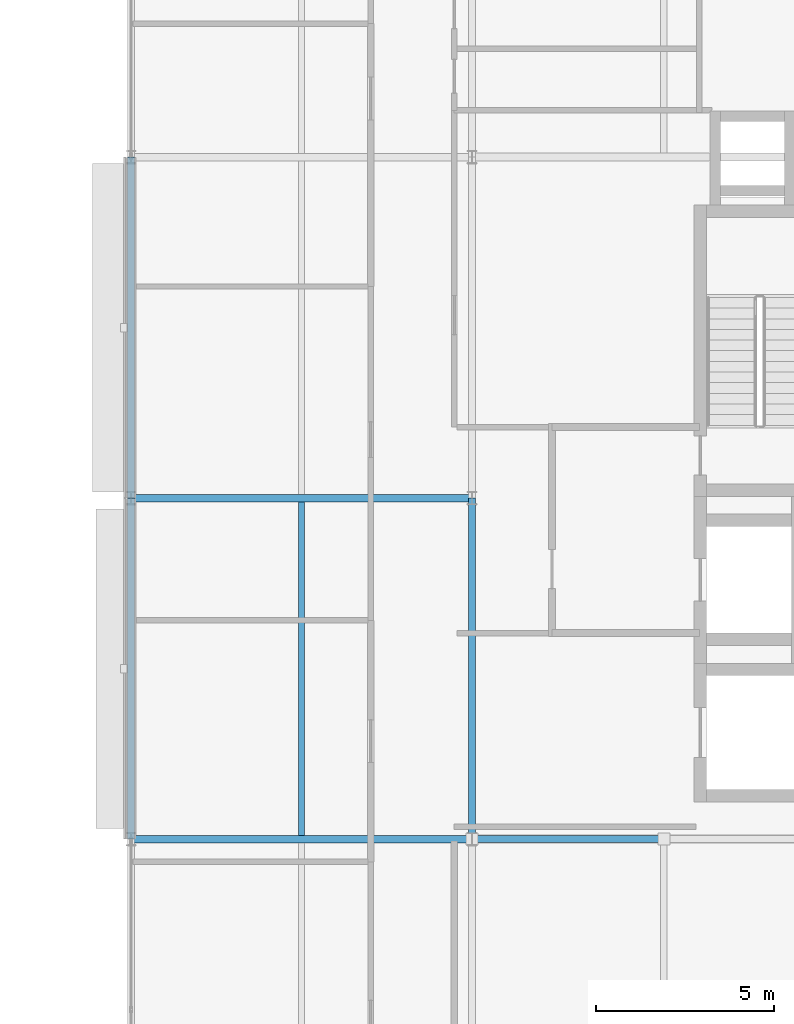
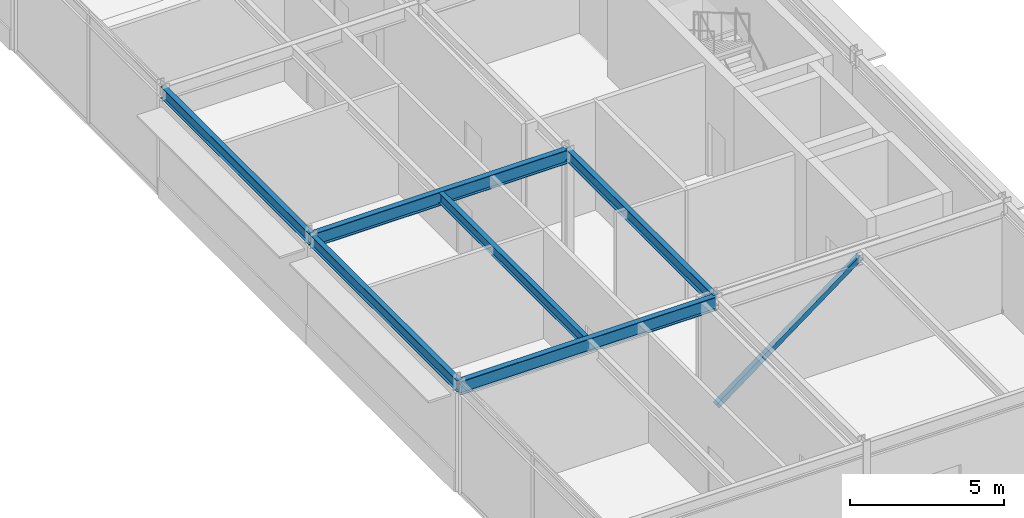
# One storey, part 4 of 22: 6 beams, 1 member.
"""IFC4 building model written with IfcOpenShell, lengths in metres."""

import ifcopenshell
import ifcopenshell.guid

model = None  # the IFC model being written
_history = None  # IfcOwnerHistory: only IFC2X3 demands one
_inside = {}  # id of a spatial element -> (the spatial element, [elements in it])
_under = {}  # id of a project, library or spatial element -> (it, [spatial elements below it])
_declared = {}  # id of a project -> (the project, [libraries it declares])
_typed = {}  # id of a type object -> (the type object, [elements of that type])
_made_of = {}  # id of a material, layer set ... -> (it, [elements and type objects made of it])


def new_model(schema):
    """Start an empty IFC model of exactly this schema.

    Asked for "IFC4X3", IfcOpenShell would pick the latest addendum, in which some entities
    have other attributes; the version numbers below select the first issue.
    IFC2X3 requires an IfcOwnerHistory on every rooted entity: one is made here for all.
    """
    global model, _history
    if schema == "IFC4X3":
        model = ifcopenshell.file(schema_version=(4, 3, 0, 0))
    else:
        model = ifcopenshell.file(schema=schema)
    _inside.clear()
    _under.clear()
    _declared.clear()
    _typed.clear()
    _made_of.clear()
    _history = None
    if model.schema == "IFC2X3":
        org = make("IfcOrganization", Name="unknown")
        user = make(
            "IfcPersonAndOrganization",
            ThePerson=make("IfcPerson", FamilyName="unknown"),
            TheOrganization=org,
        )
        app = make(
            "IfcApplication",
            ApplicationDeveloper=org,
            Version="unknown",
            ApplicationFullName="unknown",
            ApplicationIdentifier="unknown",
        )
        _history = make(
            "IfcOwnerHistory",
            OwningUser=user,
            OwningApplication=app,
            ChangeAction="ADDED",
            CreationDate=0,
        )
    return model


def make(cls, **values):
    """One entity of the class cls with the attributes given. An attribute that is None is left unset."""
    return model.create_entity(
        cls, **{name: value for name, value in values.items() if value is not None}
    )


def rooted(cls, **values):
    """An entity with a GlobalId (a new one), such as an element, a storey or a relation."""
    return make(cls, GlobalId=ifcopenshell.guid.new(), OwnerHistory=_history, **values)


def si_unit(unit_type, name, prefix=None):
    """IfcSIUnit, for example si_unit("LENGTHUNIT", "METRE", prefix="MILLI")."""
    return make("IfcSIUnit", UnitType=unit_type, Prefix=prefix, Name=name)


def assignment(units):
    """IfcUnitAssignment: the units of a project."""
    return None if units is None else make("IfcUnitAssignment", Units=units)


def point(xyz):
    """IfcCartesianPoint."""
    return None if xyz is None else make("IfcCartesianPoint", Coordinates=xyz)


def direction(xyz):
    """IfcDirection."""
    return None if xyz is None else make("IfcDirection", DirectionRatios=xyz)


def frame(location, z_axis=None, x_axis=None):
    """IfcAxis2Placement3D, a coordinate frame: its origin and axes. An axis left out is left unset."""
    return make(
        "IfcAxis2Placement3D",
        Location=point(location),
        Axis=direction(z_axis),
        RefDirection=direction(x_axis),
    )


def frame_2d(location, x_axis=None):
    """IfcAxis2Placement2D, a coordinate frame in the plane: its origin and x axis."""
    return make(
        "IfcAxis2Placement2D", Location=point(location), RefDirection=direction(x_axis)
    )


def origin():
    """The frame at (0, 0, 0) with its axes left unset."""
    return frame((0.0, 0.0, 0.0))


def origin_2d():
    """The frame at (0, 0) in the plane with its x axis left unset."""
    return frame_2d((0.0, 0.0))


def place(relative_to, where):
    """IfcLocalPlacement: puts the frame where relative to a parent placement (None: the world)."""
    return make(
        "IfcLocalPlacement", PlacementRelTo=relative_to, RelativePlacement=where
    )


def context(
    kind, dimensions, precision=None, world=None, true_north=None, identifier=None
):
    """IfcGeometricRepresentationContext, for example the 3D "Model" context."""
    return make(
        "IfcGeometricRepresentationContext",
        ContextIdentifier=identifier,
        ContextType=kind,
        CoordinateSpaceDimension=dimensions,
        Precision=precision,
        WorldCoordinateSystem=world,
        TrueNorth=true_north,
    )


def subcontext(parent, identifier, kind, view, scale=None):
    """IfcGeometricRepresentationSubContext, for example "Body" below "Model"."""
    return make(
        "IfcGeometricRepresentationSubContext",
        ContextIdentifier=identifier,
        ContextType=kind,
        ParentContext=parent,
        TargetScale=scale,
        TargetView=view,
    )


def project(units=None, contexts=None):
    """IfcProject with its units and contexts."""
    return rooted(
        "IfcProject",
        Name="project",
        RepresentationContexts=contexts,
        UnitsInContext=assignment(units),
    )


def spatial(cls, under=None, at=None, **own):
    """A site, building, storey or space (cls), placed at a placement, below another one or the project."""
    s = rooted(cls, ObjectPlacement=at, **own)
    if under is not None:
        _under.setdefault(under.id(), (under, []))[1].append(s)
    return s


def profile(cls, at=None, kind="AREA", **sizes):
    """A parametric profile (cls). Its sizes go by their IFC names, for example OverallWidth=200.0."""
    return make(cls, ProfileType=kind, Position=at, **sizes)


def hollow_rectangle(**sizes):
    """IfcRectangleHollowProfileDef."""
    return profile("IfcRectangleHollowProfileDef", **sizes)


def i_section(**sizes):
    """IfcIShapeProfileDef."""
    return profile("IfcIShapeProfileDef", **sizes)


def extrude(swept, where, along, depth):
    """IfcExtrudedAreaSolid: the profile swept, set in the frame where, extruded along a direction by depth."""
    return make(
        "IfcExtrudedAreaSolid",
        SweptArea=swept,
        Position=where,
        ExtrudedDirection=direction(along),
        Depth=depth,
    )


def shape(context_of_items, identifier, shape_type, items):
    """IfcShapeRepresentation: the items that make up one representation, for example the "Body"."""
    return make(
        "IfcShapeRepresentation",
        ContextOfItems=context_of_items,
        RepresentationIdentifier=identifier,
        RepresentationType=shape_type,
        Items=items,
    )


def material(Name=None, Category=None):
    """IfcMaterial."""
    return make("IfcMaterial", Name=Name, Category=Category)


def material_profile(
    of_material, cross_section, Name=None, Category=None, Priority=None
):
    """IfcMaterialProfile: a cross section and its material."""
    return make(
        "IfcMaterialProfile",
        Name=Name,
        Material=of_material,
        Profile=cross_section,
        Priority=Priority,
        Category=Category,
    )


def profile_set(profiles, Name=None, composite=None):
    """IfcMaterialProfileSet."""
    return make(
        "IfcMaterialProfileSet",
        Name=Name,
        MaterialProfiles=profiles,
        CompositeProfile=composite,
    )


def made_of(thing, what):
    """Note that an element or type object is made of a material, layer set ...; save() writes the relation."""
    if what is not None:
        _made_of.setdefault(what.id(), (what, []))[1].append(thing)
    return thing


def type_object(cls, material=None, **own):
    """A type object (cls), such as IfcWallType, which elements share."""
    return made_of(rooted(cls, **own), material)


def element(
    cls,
    number,
    at=None,
    inside=None,
    cuts=None,
    type_object=None,
    material=None,
    context=None,
    identifier="Body",
    shape_type=None,
    held_by="IfcProductDefinitionShape",
    body=None,
    shapes=None,
    **own,
):
    """One element of the class cls, such as IfcWall. Its Tag is "e" and its number.

    at: its placement. inside: the storey or other place that contains it. cuts: it is an
    opening in that element (IfcRelVoidsElement). A single representation is given by context,
    identifier, shape_type and body (its items); several are given by shapes. held_by: the class
    of the entity that holds the representations. save() writes the other relations.
    """
    e = rooted(cls, Tag="e%d" % number, ObjectPlacement=at, **own)
    if body is not None:
        shapes = [shape(context, identifier, shape_type, body)]
    if shapes is not None:
        e.Representation = make(held_by, Representations=shapes)
    if inside is not None:
        _inside.setdefault(inside.id(), (inside, []))[1].append(e)
    if cuts is not None:
        rooted(
            "IfcRelVoidsElement", RelatingBuildingElement=cuts, RelatedOpeningElement=e
        )
    if type_object is not None:
        _typed.setdefault(type_object.id(), (type_object, []))[1].append(e)
    return made_of(e, material)


def aggregate(whole, parts):
    """IfcRelAggregates: a whole, such as a stair, and the parts it consists of."""
    return rooted("IfcRelAggregates", RelatingObject=whole, RelatedObjects=parts)


def save(model, path):
    """Write the relations noted so far, then the file.

    IfcRelAggregates (storeys below a building ...), IfcRelContainedInSpatialStructure (elements
    in a storey), IfcRelDefinesByType, IfcRelAssociatesMaterial and IfcRelDeclares: one each for
    every whole, place, type object, material and project.
    """
    for whole, parts in _under.values():
        aggregate(whole, parts)
    for where, things in _inside.values():
        rooted(
            "IfcRelContainedInSpatialStructure",
            RelatedElements=things,
            RelatingStructure=where,
        )
    for kind, things in _typed.values():
        rooted("IfcRelDefinesByType", RelatedObjects=things, RelatingType=kind)
    for what, things in _made_of.values():
        rooted("IfcRelAssociatesMaterial", RelatedObjects=things, RelatingMaterial=what)
    for by, libraries in _declared.values():
        rooted("IfcRelDeclares", RelatingContext=by, RelatedDefinitions=libraries)
    model.write(path)


model = new_model("IFC4")

# Units and contexts
model_context = context("Model", 3, precision=1e-05, world=origin(), true_north=direction((0.0, 1.0)))
body_context = subcontext(model_context, "Body", "Model", "MODEL_VIEW")
ifc_project = project(units=[si_unit("LENGTHUNIT", "METRE"), si_unit("AREAUNIT", "SQUARE_METRE"), si_unit("VOLUMEUNIT", "CUBIC_METRE"), si_unit("PLANEANGLEUNIT", "RADIAN"), si_unit("MASSUNIT", "GRAM", prefix="KILO")], contexts=[model_context])

# Site, building, storey
site_placement = place(None, origin())
site = spatial("IfcSite", under=ifc_project, at=site_placement, CompositionType="ELEMENT")
building_placement = place(site_placement, origin())
building = spatial("IfcBuilding", under=site, at=building_placement, Name="Almandine Court Research Institute", CompositionType="ELEMENT")
storey_placement = place(building_placement, frame((0.0, 0.0, 28.0)))
storey = spatial("IfcBuildingStorey", under=building, at=storey_placement, Name="L06", CompositionType="ELEMENT", Elevation=28.0)

# Beams
ifc_material_1 = material(Name="Steel ASTM A992 Grade 50", Category="steel")
ifc_material_profile_1 = material_profile(ifc_material_1, i_section(OverallWidth=0.18994140625, OverallDepth=0.45703125, WebThickness=0.009033203125, FlangeThickness=0.014892578125, at=origin_2d()), Name="W460x74")
ifc_profile_set_1 = profile_set([ifc_material_profile_1], Name="Steel ASTM A992 Grade 50")
beam_type_1 = type_object("IfcBeamType", Name="Beam-B-01", PredefinedType="BEAM", material=ifc_profile_set_1)
for number, where, z_axis, x_axis, name in (
    (1, (153.60009765625, 15.60009765625, 4.156982421875), (0.0, 1.0, 0.0), (-1.0, 0.0, 0.0), "L06 V4 Primary Y Girder"),
    (2, (163.199951171875, 15.60009765625, 4.156982421875), (0.0, 1.0, 0.0), (-1.0, 0.0, 0.0), "L06 V4 Primary Y Girder"),
):
    element("IfcBeam", number, at=place(storey_placement, frame(where, z_axis=z_axis, x_axis=x_axis)), inside=storey, type_object=beam_type_1, Name=name, PredefinedType="BEAM", context=body_context, shape_type="SweptSolid", body=[
        extrude(i_section(OverallWidth=0.18994140625, OverallDepth=0.45703125, WebThickness=0.009033203125, FlangeThickness=0.014892578125, at=origin_2d()), origin(), (0.0, 0.0, 1.0), 9.599853515625),
    ])
beam_1_placement = place(storey_placement, frame((153.60009765625, 25.199951171875, 4.156982421875), z_axis=(0.0, 1.0, 0.0), x_axis=(-1.0, 0.0, 0.0)))
element("IfcBeam", 3, at=beam_1_placement, inside=storey, type_object=beam_type_1, Name="L06 V4 Primary Y Girder", PredefinedType="BEAM", context=body_context, shape_type="SweptSolid", body=[
    extrude(i_section(OverallWidth=0.18994140625, OverallDepth=0.45703125, WebThickness=0.009033203125, FlangeThickness=0.014892578125, at=origin_2d()), origin(), (0.0, 0.0, 1.0), 9.60009765625),
])
ifc_material_profile_2 = material_profile(ifc_material_1, i_section(OverallWidth=0.178955078125, OverallDepth=0.409912109375, WebThickness=0.009033203125, FlangeThickness=0.013916015625, at=origin_2d()), Name="W410x67")
ifc_profile_set_2 = profile_set([ifc_material_profile_2], Name="Steel ASTM A992 Grade 50")
beam_type_2 = type_object("IfcBeamType", Name="Beam-B-02", PredefinedType="JOIST", material=ifc_profile_set_2)
beam_2_placement = place(storey_placement, frame((158.39990234375, 15.7041015625, 4.179931640625), z_axis=(0.0, 1.0, 0.0), x_axis=(-1.0, 0.0, 0.0)))
element("IfcBeam", 4, at=beam_2_placement, inside=storey, type_object=beam_type_2, Name="L06 V4 Composite Secondary Beam", PredefinedType="JOIST", context=body_context, shape_type="SweptSolid", body=[
    extrude(i_section(OverallWidth=0.178955078125, OverallDepth=0.409912109375, WebThickness=0.009033203125, FlangeThickness=0.013916015625, at=origin_2d()), origin(), (0.0, 0.0, 1.0), 9.391845703125),
])
ifc_material_profile_3 = material_profile(ifc_material_1, i_section(OverallWidth=0.2109375, OverallDepth=0.5390625, WebThickness=0.011962890625, FlangeThickness=0.01904296875, at=origin_2d()), Name="W530x109")
ifc_profile_set_3 = profile_set([ifc_material_profile_3], Name="Steel ASTM A992 Grade 50")
beam_type_3 = type_object("IfcBeamType", Name="Beam-G-04", PredefinedType="BEAM", material=ifc_profile_set_3)
for number, where, z_axis, x_axis, name in (
    (5, (153.60009765625, 15.60009765625, 4.114990234375), (1.0, 0.0, 0.0), (0.0, 1.0, 0.0), "L06 V4 Primary X Girder"),
    (6, (153.60009765625, 25.199951171875, 4.114990234375), (1.0, 0.0, 0.0), (0.0, 1.0, 0.0), "L06 V4 Primary X Girder"),
):
    element("IfcBeam", number, at=place(storey_placement, frame(where, z_axis=z_axis, x_axis=x_axis)), inside=storey, type_object=beam_type_3, Name=name, PredefinedType="BEAM", context=body_context, shape_type="SweptSolid", body=[
        extrude(i_section(OverallWidth=0.2109375, OverallDepth=0.5390625, WebThickness=0.011962890625, FlangeThickness=0.01904296875, at=origin_2d()), origin(), (0.0, 0.0, 1.0), 9.599853515625),
    ])

# Member
ifc_material_2 = material(Name="Steel ASTM A500 Grade C", Category="steel")
ifc_material_profile_4 = material_profile(ifc_material_2, hollow_rectangle(XDim=0.199951171875, YDim=0.199951171875, WallThickness=0.008056640625, at=origin_2d()), Name="HSS 200x200x8")
ifc_profile_set_4 = profile_set([ifc_material_profile_4], Name="Steel ASTM A500 Grade C")
member_type = type_object("IfcMemberType", Name="Mem-BF-BR2", PredefinedType="BRACE", material=ifc_profile_set_4)
member_placement = place(storey_placement, frame((163.199951171875, 15.60009765625, 0.02001953125), z_axis=(0.801428188232, 0.0, 0.598091012394), x_axis=(0.0, 1.0, 0.0)))
element("IfcMember", 7, at=member_placement, inside=storey, type_object=member_type, Name="L06 Seismic Chevron Brace V4-BF1 Left", PredefinedType="BRACE", context=body_context, shape_type="SweptSolid", body=[
    extrude(hollow_rectangle(XDim=0.199951171875, YDim=0.199951171875, WallThickness=0.008056640625, at=origin_2d()), origin(), (0.0, 0.0, 1.0), 6.738037109375),
])

save(model, "model.ifc")
